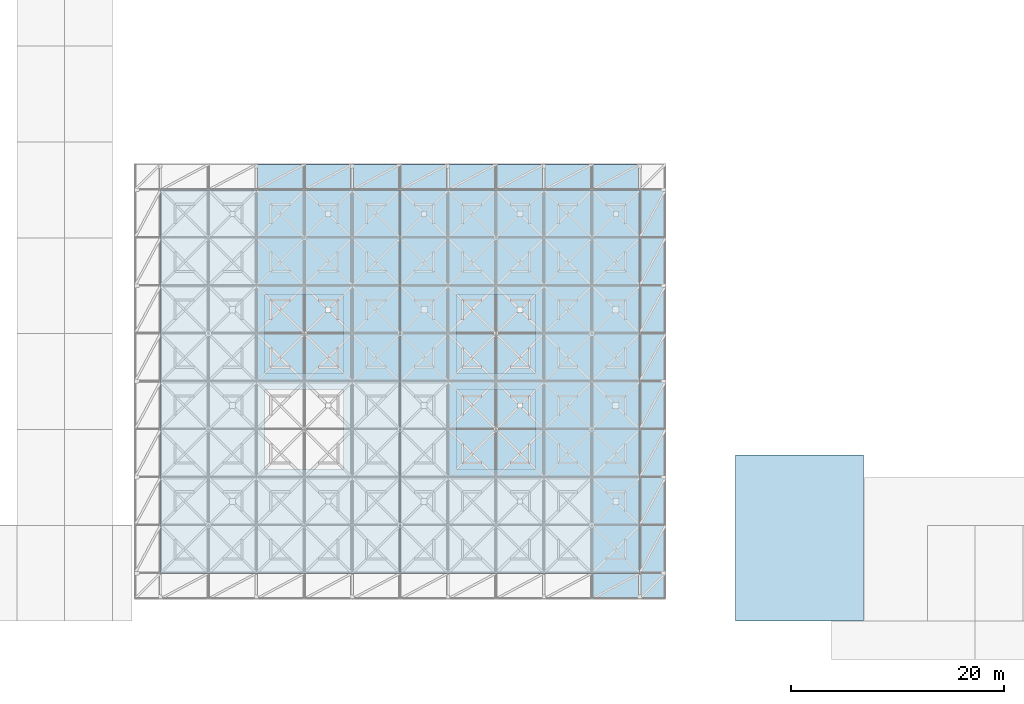
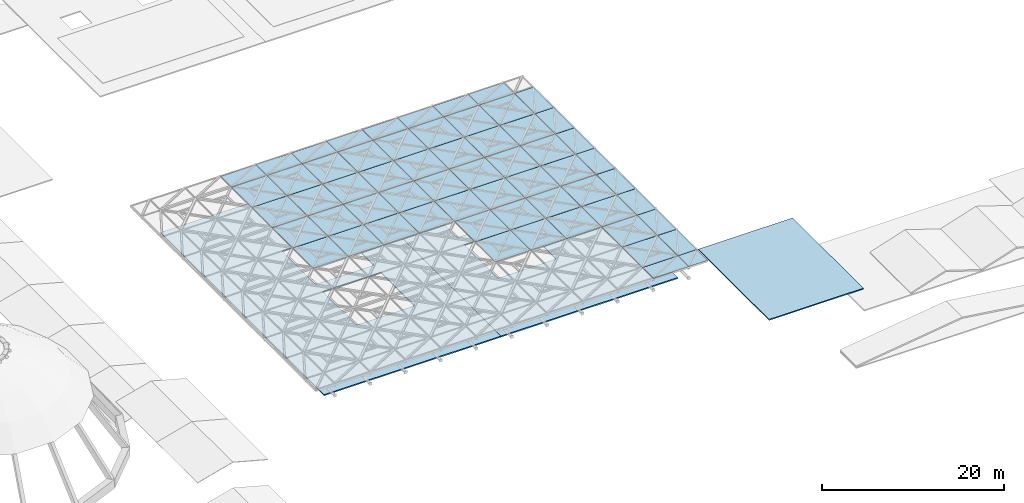
# One storey, part 63 of 80: 60 plates, 3 slabs, 9 elements without a shape of their own.
"""IFC4 building model written with IfcOpenShell, lengths in metres."""

from ifc_helpers import new_model, si_unit, direction, frame, origin, origin_2d, place, context, subcontext, project, spatial, polyline, rectangle, outline, extrude, material, layer, layer_set, type_object, element, aggregate, save


model = new_model("IFC4")

# Units and contexts
model_context = context("Model", 3, precision=1e-05, world=origin(), true_north=direction((0.0, 1.0)))
body_context = subcontext(model_context, "Body", "Model", "MODEL_VIEW")
ifc_project = project(units=[si_unit("LENGTHUNIT", "METRE"), si_unit("AREAUNIT", "SQUARE_METRE"), si_unit("VOLUMEUNIT", "CUBIC_METRE"), si_unit("PLANEANGLEUNIT", "RADIAN"), si_unit("MASSUNIT", "GRAM", prefix="KILO"), si_unit("THERMODYNAMICTEMPERATUREUNIT", "KELVIN"), si_unit("POWERUNIT", "WATT")], contexts=[model_context])

# Site, building, storey
site_placement = place(None, origin())
site = spatial("IfcSite", under=ifc_project, at=site_placement, CompositionType="ELEMENT")
building_placement = place(site_placement, origin())
building = spatial("IfcBuilding", under=site, at=building_placement, Name="Tallowbark Science Centre", CompositionType="ELEMENT")
storey_placement = place(building_placement, frame((0.0, 0.0, 25.949951171875)))
storey = spatial("IfcBuildingStorey", under=building, at=storey_placement, Name="ROOF", CompositionType="ELEMENT", Elevation=25.949951171875)

# Curtain wall, plates
ifc_material_1 = material(Name="Blue-Tinted Laminated Low-E Skylight Glass", Category="glass")
curtain_wall_type = type_object("IfcCurtainWallType", Name="CW-SKY-ROOF", PredefinedType="NOTDEFINED", material=ifc_material_1)
curtain_wall_1_placement = place(storey_placement, origin())
curtain_wall_1 = element("IfcCurtainWall", 1, at=curtain_wall_1_placement, inside=storey, type_object=curtain_wall_type, Name="Exhibition Star-Screen Skylight Bay 4", PredefinedType="NOTDEFINED")
ifc_layer_1 = layer(ifc_material_1, 0.035888671875)
ifc_layer_set_1 = layer_set([ifc_layer_1], Name="Blue-Tinted Laminated Low-E Skylight Glass")
plate_type = type_object("IfcPlateType", Name="CWP-SKY-36", PredefinedType="CURTAIN_PANEL", material=ifc_layer_set_1)
plate_1_placement = place(storey_placement, frame((69.75, 24.75, 0.333984375), z_axis=(0.0, 0.0, 1.0), x_axis=(1.0, 0.0, 0.0)))
plate_1 = element("IfcPlate", 2, at=plate_1_placement, type_object=plate_type, Name="Exhibition Star-Screen Skylight Glass Panel 36", PredefinedType="CURTAIN_PANEL", context=body_context, shape_type="SweptSolid", body=[
    extrude(rectangle(XDim=4.491943359375, YDim=4.491943359375, at=origin_2d()), origin(), (0.0, 0.0, 1.0), 0.035888671875),
])
plate_2_placement = place(storey_placement, frame((69.75, 29.25, 0.333984375), z_axis=(0.0, 0.0, 1.0), x_axis=(1.0, 0.0, 0.0)))
plate_2 = element("IfcPlate", 3, at=plate_2_placement, type_object=plate_type, Name="Exhibition Star-Screen Skylight Glass Panel 37", PredefinedType="CURTAIN_PANEL", context=body_context, shape_type="SweptSolid", body=[
    extrude(rectangle(XDim=4.491943359375, YDim=4.491943359375, at=origin_2d()), origin(), (0.0, 0.0, 1.0), 0.035888671875),
])
plate_3_placement = place(storey_placement, frame((69.75, 33.75, 0.333984375), z_axis=(0.0, 0.0, 1.0), x_axis=(1.0, 0.0, 0.0)))
plate_3 = element("IfcPlate", 4, at=plate_3_placement, type_object=plate_type, Name="Exhibition Star-Screen Skylight Glass Panel 38", PredefinedType="CURTAIN_PANEL", context=body_context, shape_type="SweptSolid", body=[
    extrude(rectangle(XDim=4.491943359375, YDim=4.491943359375, at=origin_2d()), origin(), (0.0, 0.0, 1.0), 0.035888671875),
])
plate_4_placement = place(storey_placement, frame((69.75, 38.25, 0.333984375), z_axis=(0.0, 0.0, 1.0), x_axis=(1.0, 0.0, 0.0)))
plate_4 = element("IfcPlate", 5, at=plate_4_placement, type_object=plate_type, Name="Exhibition Star-Screen Skylight Glass Panel 39", PredefinedType="CURTAIN_PANEL", context=body_context, shape_type="SweptSolid", body=[
    extrude(rectangle(XDim=4.491943359375, YDim=4.491943359375, at=origin_2d()), origin(), (0.0, 0.0, 1.0), 0.035888671875),
])
plate_5_placement = place(storey_placement, frame((69.75, 41.699951171875, 0.333984375), z_axis=(0.0, 0.0, 1.0), x_axis=(1.0, 0.0, 0.0)))
plate_5 = element("IfcPlate", 6, at=plate_5_placement, type_object=plate_type, Name="Exhibition Star-Screen Skylight Glass Panel 40", PredefinedType="CURTAIN_PANEL", context=body_context, shape_type="SweptSolid", body=[
    extrude(rectangle(XDim=4.491943359375, YDim=2.39208984375, at=origin_2d()), origin(), (0.0, 0.0, 1.0), 0.035888671875),
])
aggregate(curtain_wall_1, [plate_1, plate_2, plate_3, plate_4, plate_5])

curtain_wall_2_placement = place(storey_placement, origin())
curtain_wall_2 = element("IfcCurtainWall", 7, at=curtain_wall_2_placement, inside=storey, type_object=curtain_wall_type, Name="Exhibition Star-Screen Skylight Bay 5", PredefinedType="NOTDEFINED")
plate_6_placement = place(storey_placement, frame((74.25, 24.75, 0.333984375), z_axis=(0.0, 0.0, 1.0), x_axis=(1.0, 0.0, 0.0)))
plate_6 = element("IfcPlate", 8, at=plate_6_placement, type_object=plate_type, Name="Exhibition Star-Screen Skylight Glass Panel 46", PredefinedType="CURTAIN_PANEL", context=body_context, shape_type="SweptSolid", body=[
    extrude(rectangle(XDim=4.491943359375, YDim=4.491943359375, at=origin_2d()), origin(), (0.0, 0.0, 1.0), 0.035888671875),
])
plate_7_placement = place(storey_placement, frame((74.25, 29.25, 0.333984375), z_axis=(0.0, 0.0, 1.0), x_axis=(1.0, 0.0, 0.0)))
plate_7 = element("IfcPlate", 9, at=plate_7_placement, type_object=plate_type, Name="Exhibition Star-Screen Skylight Glass Panel 47", PredefinedType="CURTAIN_PANEL", context=body_context, shape_type="SweptSolid", body=[
    extrude(rectangle(XDim=4.491943359375, YDim=4.491943359375, at=origin_2d()), origin(), (0.0, 0.0, 1.0), 0.035888671875),
])
plate_8_placement = place(storey_placement, frame((74.25, 33.75, 0.333984375), z_axis=(0.0, 0.0, 1.0), x_axis=(1.0, 0.0, 0.0)))
plate_8 = element("IfcPlate", 10, at=plate_8_placement, type_object=plate_type, Name="Exhibition Star-Screen Skylight Glass Panel 48", PredefinedType="CURTAIN_PANEL", context=body_context, shape_type="SweptSolid", body=[
    extrude(rectangle(XDim=4.491943359375, YDim=4.491943359375, at=origin_2d()), origin(), (0.0, 0.0, 1.0), 0.035888671875),
])
plate_9_placement = place(storey_placement, frame((74.25, 38.25, 0.333984375), z_axis=(0.0, 0.0, 1.0), x_axis=(1.0, 0.0, 0.0)))
plate_9 = element("IfcPlate", 11, at=plate_9_placement, type_object=plate_type, Name="Exhibition Star-Screen Skylight Glass Panel 49", PredefinedType="CURTAIN_PANEL", context=body_context, shape_type="SweptSolid", body=[
    extrude(rectangle(XDim=4.491943359375, YDim=4.491943359375, at=origin_2d()), origin(), (0.0, 0.0, 1.0), 0.035888671875),
])
plate_10_placement = place(storey_placement, frame((74.25, 41.699951171875, 0.333984375), z_axis=(0.0, 0.0, 1.0), x_axis=(1.0, 0.0, 0.0)))
plate_10 = element("IfcPlate", 12, at=plate_10_placement, type_object=plate_type, Name="Exhibition Star-Screen Skylight Glass Panel 50", PredefinedType="CURTAIN_PANEL", context=body_context, shape_type="SweptSolid", body=[
    extrude(rectangle(XDim=4.491943359375, YDim=2.39208984375, at=origin_2d()), origin(), (0.0, 0.0, 1.0), 0.035888671875),
])
aggregate(curtain_wall_2, [plate_6, plate_7, plate_8, plate_9, plate_10])

curtain_wall_3_placement = place(storey_placement, origin())
curtain_wall_3 = element("IfcCurtainWall", 13, at=curtain_wall_3_placement, inside=storey, type_object=curtain_wall_type, Name="Exhibition Star-Screen Skylight Bay 6", PredefinedType="NOTDEFINED")
plate_11_placement = place(storey_placement, frame((78.75, 24.75, 0.333984375), z_axis=(0.0, 0.0, 1.0), x_axis=(1.0, 0.0, 0.0)))
plate_11 = element("IfcPlate", 14, at=plate_11_placement, type_object=plate_type, Name="Exhibition Star-Screen Skylight Glass Panel 56", PredefinedType="CURTAIN_PANEL", context=body_context, shape_type="SweptSolid", body=[
    extrude(rectangle(XDim=4.491943359375, YDim=4.491943359375, at=origin_2d()), origin(), (0.0, 0.0, 1.0), 0.035888671875),
])
plate_12_placement = place(storey_placement, frame((78.75, 29.25, 0.333984375), z_axis=(0.0, 0.0, 1.0), x_axis=(1.0, 0.0, 0.0)))
plate_12 = element("IfcPlate", 15, at=plate_12_placement, type_object=plate_type, Name="Exhibition Star-Screen Skylight Glass Panel 57", PredefinedType="CURTAIN_PANEL", context=body_context, shape_type="SweptSolid", body=[
    extrude(rectangle(XDim=4.491943359375, YDim=4.491943359375, at=origin_2d()), origin(), (0.0, 0.0, 1.0), 0.035888671875),
])
plate_13_placement = place(storey_placement, frame((78.75, 33.75, 0.333984375), z_axis=(0.0, 0.0, 1.0), x_axis=(1.0, 0.0, 0.0)))
plate_13 = element("IfcPlate", 16, at=plate_13_placement, type_object=plate_type, Name="Exhibition Star-Screen Skylight Glass Panel 58", PredefinedType="CURTAIN_PANEL", context=body_context, shape_type="SweptSolid", body=[
    extrude(rectangle(XDim=4.491943359375, YDim=4.491943359375, at=origin_2d()), origin(), (0.0, 0.0, 1.0), 0.035888671875),
])
plate_14_placement = place(storey_placement, frame((78.75, 38.25, 0.333984375), z_axis=(0.0, 0.0, 1.0), x_axis=(1.0, 0.0, 0.0)))
plate_14 = element("IfcPlate", 17, at=plate_14_placement, type_object=plate_type, Name="Exhibition Star-Screen Skylight Glass Panel 59", PredefinedType="CURTAIN_PANEL", context=body_context, shape_type="SweptSolid", body=[
    extrude(rectangle(XDim=4.491943359375, YDim=4.491943359375, at=origin_2d()), origin(), (0.0, 0.0, 1.0), 0.035888671875),
])
plate_15_placement = place(storey_placement, frame((78.75, 41.699951171875, 0.333984375), z_axis=(0.0, 0.0, 1.0), x_axis=(1.0, 0.0, 0.0)))
plate_15 = element("IfcPlate", 18, at=plate_15_placement, type_object=plate_type, Name="Exhibition Star-Screen Skylight Glass Panel 60", PredefinedType="CURTAIN_PANEL", context=body_context, shape_type="SweptSolid", body=[
    extrude(rectangle(XDim=4.491943359375, YDim=2.39208984375, at=origin_2d()), origin(), (0.0, 0.0, 1.0), 0.035888671875),
])
aggregate(curtain_wall_3, [plate_11, plate_12, plate_13, plate_14, plate_15])

curtain_wall_4_placement = place(storey_placement, origin())
curtain_wall_4 = element("IfcCurtainWall", 19, at=curtain_wall_4_placement, inside=storey, type_object=curtain_wall_type, Name="Exhibition Star-Screen Skylight Bay 7", PredefinedType="NOTDEFINED")
plate_16_placement = place(storey_placement, frame((83.25, 24.75, 0.333984375), z_axis=(0.0, 0.0, 1.0), x_axis=(1.0, 0.0, 0.0)))
plate_16 = element("IfcPlate", 20, at=plate_16_placement, type_object=plate_type, Name="Exhibition Star-Screen Skylight Glass Panel 66", PredefinedType="CURTAIN_PANEL", context=body_context, shape_type="SweptSolid", body=[
    extrude(rectangle(XDim=4.491943359375, YDim=4.491943359375, at=origin_2d()), origin(), (0.0, 0.0, 1.0), 0.035888671875),
])
plate_17_placement = place(storey_placement, frame((83.25, 29.25, 0.333984375), z_axis=(0.0, 0.0, 1.0), x_axis=(1.0, 0.0, 0.0)))
plate_17 = element("IfcPlate", 21, at=plate_17_placement, type_object=plate_type, Name="Exhibition Star-Screen Skylight Glass Panel 67", PredefinedType="CURTAIN_PANEL", context=body_context, shape_type="SweptSolid", body=[
    extrude(rectangle(XDim=4.491943359375, YDim=4.491943359375, at=origin_2d()), origin(), (0.0, 0.0, 1.0), 0.035888671875),
])
plate_18_placement = place(storey_placement, frame((83.25, 33.75, 0.333984375), z_axis=(0.0, 0.0, 1.0), x_axis=(1.0, 0.0, 0.0)))
plate_18 = element("IfcPlate", 22, at=plate_18_placement, type_object=plate_type, Name="Exhibition Star-Screen Skylight Glass Panel 68", PredefinedType="CURTAIN_PANEL", context=body_context, shape_type="SweptSolid", body=[
    extrude(rectangle(XDim=4.491943359375, YDim=4.491943359375, at=origin_2d()), origin(), (0.0, 0.0, 1.0), 0.035888671875),
])
plate_19_placement = place(storey_placement, frame((83.25, 38.25, 0.333984375), z_axis=(0.0, 0.0, 1.0), x_axis=(1.0, 0.0, 0.0)))
plate_19 = element("IfcPlate", 23, at=plate_19_placement, type_object=plate_type, Name="Exhibition Star-Screen Skylight Glass Panel 69", PredefinedType="CURTAIN_PANEL", context=body_context, shape_type="SweptSolid", body=[
    extrude(rectangle(XDim=4.491943359375, YDim=4.491943359375, at=origin_2d()), origin(), (0.0, 0.0, 1.0), 0.035888671875),
])
plate_20_placement = place(storey_placement, frame((83.25, 41.699951171875, 0.333984375), z_axis=(0.0, 0.0, 1.0), x_axis=(1.0, 0.0, 0.0)))
plate_20 = element("IfcPlate", 24, at=plate_20_placement, type_object=plate_type, Name="Exhibition Star-Screen Skylight Glass Panel 70", PredefinedType="CURTAIN_PANEL", context=body_context, shape_type="SweptSolid", body=[
    extrude(rectangle(XDim=4.491943359375, YDim=2.39208984375, at=origin_2d()), origin(), (0.0, 0.0, 1.0), 0.035888671875),
])
aggregate(curtain_wall_4, [plate_16, plate_17, plate_18, plate_19, plate_20])

curtain_wall_5_placement = place(storey_placement, origin())
curtain_wall_5 = element("IfcCurtainWall", 25, at=curtain_wall_5_placement, inside=storey, type_object=curtain_wall_type, Name="Exhibition Star-Screen Skylight Bay 8", PredefinedType="NOTDEFINED")
plate_21_placement = place(storey_placement, frame((87.75, 15.75, 0.333984375), z_axis=(0.0, 0.0, 1.0), x_axis=(1.0, 0.0, 0.0)))
plate_21 = element("IfcPlate", 26, at=plate_21_placement, type_object=plate_type, Name="Exhibition Star-Screen Skylight Glass Panel 74", PredefinedType="CURTAIN_PANEL", context=body_context, shape_type="SweptSolid", body=[
    extrude(rectangle(XDim=4.491943359375, YDim=4.491943359375, at=origin_2d()), origin(), (0.0, 0.0, 1.0), 0.035888671875),
])
plate_22_placement = place(storey_placement, frame((87.75, 20.25, 0.333984375), z_axis=(0.0, 0.0, 1.0), x_axis=(1.0, 0.0, 0.0)))
plate_22 = element("IfcPlate", 27, at=plate_22_placement, type_object=plate_type, Name="Exhibition Star-Screen Skylight Glass Panel 75", PredefinedType="CURTAIN_PANEL", context=body_context, shape_type="SweptSolid", body=[
    extrude(rectangle(XDim=4.491943359375, YDim=4.491943359375, at=origin_2d()), origin(), (0.0, 0.0, 1.0), 0.035888671875),
])
plate_23_placement = place(storey_placement, frame((87.75, 24.75, 0.333984375), z_axis=(0.0, 0.0, 1.0), x_axis=(1.0, 0.0, 0.0)))
plate_23 = element("IfcPlate", 28, at=plate_23_placement, type_object=plate_type, Name="Exhibition Star-Screen Skylight Glass Panel 76", PredefinedType="CURTAIN_PANEL", context=body_context, shape_type="SweptSolid", body=[
    extrude(rectangle(XDim=4.491943359375, YDim=4.491943359375, at=origin_2d()), origin(), (0.0, 0.0, 1.0), 0.035888671875),
])
plate_24_placement = place(storey_placement, frame((87.75, 29.25, 0.333984375), z_axis=(0.0, 0.0, 1.0), x_axis=(1.0, 0.0, 0.0)))
plate_24 = element("IfcPlate", 29, at=plate_24_placement, type_object=plate_type, Name="Exhibition Star-Screen Skylight Glass Panel 77", PredefinedType="CURTAIN_PANEL", context=body_context, shape_type="SweptSolid", body=[
    extrude(rectangle(XDim=4.491943359375, YDim=4.491943359375, at=origin_2d()), origin(), (0.0, 0.0, 1.0), 0.035888671875),
])
plate_25_placement = place(storey_placement, frame((87.75, 33.75, 0.333984375), z_axis=(0.0, 0.0, 1.0), x_axis=(1.0, 0.0, 0.0)))
plate_25 = element("IfcPlate", 30, at=plate_25_placement, type_object=plate_type, Name="Exhibition Star-Screen Skylight Glass Panel 78", PredefinedType="CURTAIN_PANEL", context=body_context, shape_type="SweptSolid", body=[
    extrude(rectangle(XDim=4.491943359375, YDim=4.491943359375, at=origin_2d()), origin(), (0.0, 0.0, 1.0), 0.035888671875),
])
plate_26_placement = place(storey_placement, frame((87.75, 38.25, 0.333984375), z_axis=(0.0, 0.0, 1.0), x_axis=(1.0, 0.0, 0.0)))
plate_26 = element("IfcPlate", 31, at=plate_26_placement, type_object=plate_type, Name="Exhibition Star-Screen Skylight Glass Panel 79", PredefinedType="CURTAIN_PANEL", context=body_context, shape_type="SweptSolid", body=[
    extrude(rectangle(XDim=4.491943359375, YDim=4.491943359375, at=origin_2d()), origin(), (0.0, 0.0, 1.0), 0.035888671875),
])
plate_27_placement = place(storey_placement, frame((87.75, 41.699951171875, 0.333984375), z_axis=(0.0, 0.0, 1.0), x_axis=(1.0, 0.0, 0.0)))
plate_27 = element("IfcPlate", 32, at=plate_27_placement, type_object=plate_type, Name="Exhibition Star-Screen Skylight Glass Panel 80", PredefinedType="CURTAIN_PANEL", context=body_context, shape_type="SweptSolid", body=[
    extrude(rectangle(XDim=4.491943359375, YDim=2.39208984375, at=origin_2d()), origin(), (0.0, 0.0, 1.0), 0.035888671875),
])
aggregate(curtain_wall_5, [plate_21, plate_22, plate_23, plate_24, plate_25, plate_26, plate_27])

curtain_wall_6_placement = place(storey_placement, origin())
curtain_wall_6 = element("IfcCurtainWall", 33, at=curtain_wall_6_placement, inside=storey, type_object=curtain_wall_type, Name="Exhibition Star-Screen Skylight Bay 9", PredefinedType="NOTDEFINED")
plate_28_placement = place(storey_placement, frame((92.25, 15.75, 0.333984375), z_axis=(0.0, 0.0, 1.0), x_axis=(1.0, 0.0, 0.0)))
plate_28 = element("IfcPlate", 34, at=plate_28_placement, type_object=plate_type, Name="Exhibition Star-Screen Skylight Glass Panel 84", PredefinedType="CURTAIN_PANEL", context=body_context, shape_type="SweptSolid", body=[
    extrude(rectangle(XDim=4.491943359375, YDim=4.491943359375, at=origin_2d()), origin(), (0.0, 0.0, 1.0), 0.035888671875),
])
plate_29_placement = place(storey_placement, frame((92.25, 20.25, 0.333984375), z_axis=(0.0, 0.0, 1.0), x_axis=(1.0, 0.0, 0.0)))
plate_29 = element("IfcPlate", 35, at=plate_29_placement, type_object=plate_type, Name="Exhibition Star-Screen Skylight Glass Panel 85", PredefinedType="CURTAIN_PANEL", context=body_context, shape_type="SweptSolid", body=[
    extrude(rectangle(XDim=4.491943359375, YDim=4.491943359375, at=origin_2d()), origin(), (0.0, 0.0, 1.0), 0.035888671875),
])
plate_30_placement = place(storey_placement, frame((92.25, 24.75, 0.333984375), z_axis=(0.0, 0.0, 1.0), x_axis=(1.0, 0.0, 0.0)))
plate_30 = element("IfcPlate", 36, at=plate_30_placement, type_object=plate_type, Name="Exhibition Star-Screen Skylight Glass Panel 86", PredefinedType="CURTAIN_PANEL", context=body_context, shape_type="SweptSolid", body=[
    extrude(rectangle(XDim=4.491943359375, YDim=4.491943359375, at=origin_2d()), origin(), (0.0, 0.0, 1.0), 0.035888671875),
])
plate_31_placement = place(storey_placement, frame((92.25, 29.25, 0.333984375), z_axis=(0.0, 0.0, 1.0), x_axis=(1.0, 0.0, 0.0)))
plate_31 = element("IfcPlate", 37, at=plate_31_placement, type_object=plate_type, Name="Exhibition Star-Screen Skylight Glass Panel 87", PredefinedType="CURTAIN_PANEL", context=body_context, shape_type="SweptSolid", body=[
    extrude(rectangle(XDim=4.491943359375, YDim=4.491943359375, at=origin_2d()), origin(), (0.0, 0.0, 1.0), 0.035888671875),
])
plate_32_placement = place(storey_placement, frame((92.25, 33.75, 0.333984375), z_axis=(0.0, 0.0, 1.0), x_axis=(1.0, 0.0, 0.0)))
plate_32 = element("IfcPlate", 38, at=plate_32_placement, type_object=plate_type, Name="Exhibition Star-Screen Skylight Glass Panel 88", PredefinedType="CURTAIN_PANEL", context=body_context, shape_type="SweptSolid", body=[
    extrude(rectangle(XDim=4.491943359375, YDim=4.491943359375, at=origin_2d()), origin(), (0.0, 0.0, 1.0), 0.035888671875),
])
plate_33_placement = place(storey_placement, frame((92.25, 38.25, 0.333984375), z_axis=(0.0, 0.0, 1.0), x_axis=(1.0, 0.0, 0.0)))
plate_33 = element("IfcPlate", 39, at=plate_33_placement, type_object=plate_type, Name="Exhibition Star-Screen Skylight Glass Panel 89", PredefinedType="CURTAIN_PANEL", context=body_context, shape_type="SweptSolid", body=[
    extrude(rectangle(XDim=4.491943359375, YDim=4.491943359375, at=origin_2d()), origin(), (0.0, 0.0, 1.0), 0.035888671875),
])
plate_34_placement = place(storey_placement, frame((92.25, 41.699951171875, 0.333984375), z_axis=(0.0, 0.0, 1.0), x_axis=(1.0, 0.0, 0.0)))
plate_34 = element("IfcPlate", 40, at=plate_34_placement, type_object=plate_type, Name="Exhibition Star-Screen Skylight Glass Panel 90", PredefinedType="CURTAIN_PANEL", context=body_context, shape_type="SweptSolid", body=[
    extrude(rectangle(XDim=4.491943359375, YDim=2.39208984375, at=origin_2d()), origin(), (0.0, 0.0, 1.0), 0.035888671875),
])
aggregate(curtain_wall_6, [plate_28, plate_29, plate_30, plate_31, plate_32, plate_33, plate_34])

curtain_wall_7_placement = place(storey_placement, origin())
curtain_wall_7 = element("IfcCurtainWall", 41, at=curtain_wall_7_placement, inside=storey, type_object=curtain_wall_type, Name="Exhibition Star-Screen Skylight Bay 10", PredefinedType="NOTDEFINED")
plate_35_placement = place(storey_placement, frame((96.75, 15.75, 0.333984375), z_axis=(0.0, 0.0, 1.0), x_axis=(1.0, 0.0, 0.0)))
plate_35 = element("IfcPlate", 42, at=plate_35_placement, type_object=plate_type, Name="Exhibition Star-Screen Skylight Glass Panel 94", PredefinedType="CURTAIN_PANEL", context=body_context, shape_type="SweptSolid", body=[
    extrude(rectangle(XDim=4.491943359375, YDim=4.491943359375, at=origin_2d()), origin(), (0.0, 0.0, 1.0), 0.035888671875),
])
plate_36_placement = place(storey_placement, frame((96.75, 20.25, 0.333984375), z_axis=(0.0, 0.0, 1.0), x_axis=(1.0, 0.0, 0.0)))
plate_36 = element("IfcPlate", 43, at=plate_36_placement, type_object=plate_type, Name="Exhibition Star-Screen Skylight Glass Panel 95", PredefinedType="CURTAIN_PANEL", context=body_context, shape_type="SweptSolid", body=[
    extrude(rectangle(XDim=4.491943359375, YDim=4.491943359375, at=origin_2d()), origin(), (0.0, 0.0, 1.0), 0.035888671875),
])
plate_37_placement = place(storey_placement, frame((96.75, 24.75, 0.333984375), z_axis=(0.0, 0.0, 1.0), x_axis=(1.0, 0.0, 0.0)))
plate_37 = element("IfcPlate", 44, at=plate_37_placement, type_object=plate_type, Name="Exhibition Star-Screen Skylight Glass Panel 96", PredefinedType="CURTAIN_PANEL", context=body_context, shape_type="SweptSolid", body=[
    extrude(rectangle(XDim=4.491943359375, YDim=4.491943359375, at=origin_2d()), origin(), (0.0, 0.0, 1.0), 0.035888671875),
])
plate_38_placement = place(storey_placement, frame((96.75, 29.25, 0.333984375), z_axis=(0.0, 0.0, 1.0), x_axis=(1.0, 0.0, 0.0)))
plate_38 = element("IfcPlate", 45, at=plate_38_placement, type_object=plate_type, Name="Exhibition Star-Screen Skylight Glass Panel 97", PredefinedType="CURTAIN_PANEL", context=body_context, shape_type="SweptSolid", body=[
    extrude(rectangle(XDim=4.491943359375, YDim=4.491943359375, at=origin_2d()), origin(), (0.0, 0.0, 1.0), 0.035888671875),
])
plate_39_placement = place(storey_placement, frame((96.75, 33.75, 0.333984375), z_axis=(0.0, 0.0, 1.0), x_axis=(1.0, 0.0, 0.0)))
plate_39 = element("IfcPlate", 46, at=plate_39_placement, type_object=plate_type, Name="Exhibition Star-Screen Skylight Glass Panel 98", PredefinedType="CURTAIN_PANEL", context=body_context, shape_type="SweptSolid", body=[
    extrude(rectangle(XDim=4.491943359375, YDim=4.491943359375, at=origin_2d()), origin(), (0.0, 0.0, 1.0), 0.035888671875),
])
plate_40_placement = place(storey_placement, frame((96.75, 38.25, 0.333984375), z_axis=(0.0, 0.0, 1.0), x_axis=(1.0, 0.0, 0.0)))
plate_40 = element("IfcPlate", 47, at=plate_40_placement, type_object=plate_type, Name="Exhibition Star-Screen Skylight Glass Panel 99", PredefinedType="CURTAIN_PANEL", context=body_context, shape_type="SweptSolid", body=[
    extrude(rectangle(XDim=4.491943359375, YDim=4.491943359375, at=origin_2d()), origin(), (0.0, 0.0, 1.0), 0.035888671875),
])
plate_41_placement = place(storey_placement, frame((96.75, 41.699951171875, 0.333984375), z_axis=(0.0, 0.0, 1.0), x_axis=(1.0, 0.0, 0.0)))
plate_41 = element("IfcPlate", 48, at=plate_41_placement, type_object=plate_type, Name="Exhibition Star-Screen Skylight Glass Panel 100", PredefinedType="CURTAIN_PANEL", context=body_context, shape_type="SweptSolid", body=[
    extrude(rectangle(XDim=4.491943359375, YDim=2.39208984375, at=origin_2d()), origin(), (0.0, 0.0, 1.0), 0.035888671875),
])
aggregate(curtain_wall_7, [plate_35, plate_36, plate_37, plate_38, plate_39, plate_40, plate_41])

curtain_wall_8_placement = place(storey_placement, origin())
curtain_wall_8 = element("IfcCurtainWall", 49, at=curtain_wall_8_placement, inside=storey, type_object=curtain_wall_type, Name="Exhibition Star-Screen Skylight Bay 11", PredefinedType="NOTDEFINED")
plate_42_placement = place(storey_placement, frame((101.25, 3.300048828125, 0.333984375), z_axis=(0.0, 0.0, 1.0), x_axis=(1.0, 0.0, 0.0)))
plate_42 = element("IfcPlate", 50, at=plate_42_placement, type_object=plate_type, Name="Exhibition Star-Screen Skylight Glass Panel 101", PredefinedType="CURTAIN_PANEL", context=body_context, shape_type="SweptSolid", body=[
    extrude(rectangle(XDim=4.491943359375, YDim=2.39208984375, at=origin_2d()), origin(), (0.0, 0.0, 1.0), 0.035888671875),
])
plate_43_placement = place(storey_placement, frame((101.25, 6.75, 0.333984375), z_axis=(0.0, 0.0, 1.0), x_axis=(1.0, 0.0, 0.0)))
plate_43 = element("IfcPlate", 51, at=plate_43_placement, type_object=plate_type, Name="Exhibition Star-Screen Skylight Glass Panel 102", PredefinedType="CURTAIN_PANEL", context=body_context, shape_type="SweptSolid", body=[
    extrude(rectangle(XDim=4.491943359375, YDim=4.491943359375, at=origin_2d()), origin(), (0.0, 0.0, 1.0), 0.035888671875),
])
plate_44_placement = place(storey_placement, frame((101.25, 11.25, 0.333984375), z_axis=(0.0, 0.0, 1.0), x_axis=(1.0, 0.0, 0.0)))
plate_44 = element("IfcPlate", 52, at=plate_44_placement, type_object=plate_type, Name="Exhibition Star-Screen Skylight Glass Panel 103", PredefinedType="CURTAIN_PANEL", context=body_context, shape_type="SweptSolid", body=[
    extrude(rectangle(XDim=4.491943359375, YDim=4.491943359375, at=origin_2d()), origin(), (0.0, 0.0, 1.0), 0.035888671875),
])
plate_45_placement = place(storey_placement, frame((101.25, 15.75, 0.333984375), z_axis=(0.0, 0.0, 1.0), x_axis=(1.0, 0.0, 0.0)))
plate_45 = element("IfcPlate", 53, at=plate_45_placement, type_object=plate_type, Name="Exhibition Star-Screen Skylight Glass Panel 104", PredefinedType="CURTAIN_PANEL", context=body_context, shape_type="SweptSolid", body=[
    extrude(rectangle(XDim=4.491943359375, YDim=4.491943359375, at=origin_2d()), origin(), (0.0, 0.0, 1.0), 0.035888671875),
])
plate_46_placement = place(storey_placement, frame((101.25, 20.25, 0.333984375), z_axis=(0.0, 0.0, 1.0), x_axis=(1.0, 0.0, 0.0)))
plate_46 = element("IfcPlate", 54, at=plate_46_placement, type_object=plate_type, Name="Exhibition Star-Screen Skylight Glass Panel 105", PredefinedType="CURTAIN_PANEL", context=body_context, shape_type="SweptSolid", body=[
    extrude(rectangle(XDim=4.491943359375, YDim=4.491943359375, at=origin_2d()), origin(), (0.0, 0.0, 1.0), 0.035888671875),
])
plate_47_placement = place(storey_placement, frame((101.25, 24.75, 0.333984375), z_axis=(0.0, 0.0, 1.0), x_axis=(1.0, 0.0, 0.0)))
plate_47 = element("IfcPlate", 55, at=plate_47_placement, type_object=plate_type, Name="Exhibition Star-Screen Skylight Glass Panel 106", PredefinedType="CURTAIN_PANEL", context=body_context, shape_type="SweptSolid", body=[
    extrude(rectangle(XDim=4.491943359375, YDim=4.491943359375, at=origin_2d()), origin(), (0.0, 0.0, 1.0), 0.035888671875),
])
plate_48_placement = place(storey_placement, frame((101.25, 29.25, 0.333984375), z_axis=(0.0, 0.0, 1.0), x_axis=(1.0, 0.0, 0.0)))
plate_48 = element("IfcPlate", 56, at=plate_48_placement, type_object=plate_type, Name="Exhibition Star-Screen Skylight Glass Panel 107", PredefinedType="CURTAIN_PANEL", context=body_context, shape_type="SweptSolid", body=[
    extrude(rectangle(XDim=4.491943359375, YDim=4.491943359375, at=origin_2d()), origin(), (0.0, 0.0, 1.0), 0.035888671875),
])
plate_49_placement = place(storey_placement, frame((101.25, 33.75, 0.333984375), z_axis=(0.0, 0.0, 1.0), x_axis=(1.0, 0.0, 0.0)))
plate_49 = element("IfcPlate", 57, at=plate_49_placement, type_object=plate_type, Name="Exhibition Star-Screen Skylight Glass Panel 108", PredefinedType="CURTAIN_PANEL", context=body_context, shape_type="SweptSolid", body=[
    extrude(rectangle(XDim=4.491943359375, YDim=4.491943359375, at=origin_2d()), origin(), (0.0, 0.0, 1.0), 0.035888671875),
])
plate_50_placement = place(storey_placement, frame((101.25, 38.25, 0.333984375), z_axis=(0.0, 0.0, 1.0), x_axis=(1.0, 0.0, 0.0)))
plate_50 = element("IfcPlate", 58, at=plate_50_placement, type_object=plate_type, Name="Exhibition Star-Screen Skylight Glass Panel 109", PredefinedType="CURTAIN_PANEL", context=body_context, shape_type="SweptSolid", body=[
    extrude(rectangle(XDim=4.491943359375, YDim=4.491943359375, at=origin_2d()), origin(), (0.0, 0.0, 1.0), 0.035888671875),
])
plate_51_placement = place(storey_placement, frame((101.25, 41.699951171875, 0.333984375), z_axis=(0.0, 0.0, 1.0), x_axis=(1.0, 0.0, 0.0)))
plate_51 = element("IfcPlate", 59, at=plate_51_placement, type_object=plate_type, Name="Exhibition Star-Screen Skylight Glass Panel 110", PredefinedType="CURTAIN_PANEL", context=body_context, shape_type="SweptSolid", body=[
    extrude(rectangle(XDim=4.491943359375, YDim=2.39208984375, at=origin_2d()), origin(), (0.0, 0.0, 1.0), 0.035888671875),
])
aggregate(curtain_wall_8, [plate_42, plate_43, plate_44, plate_45, plate_46, plate_47, plate_48, plate_49, plate_50, plate_51])

curtain_wall_9_placement = place(storey_placement, origin())
curtain_wall_9 = element("IfcCurtainWall", 60, at=curtain_wall_9_placement, inside=storey, type_object=curtain_wall_type, Name="Exhibition Star-Screen Skylight Bay 12", PredefinedType="NOTDEFINED")
plate_52_placement = place(storey_placement, frame((104.699951171875, 3.300048828125, 0.333984375), z_axis=(0.0, 0.0, 1.0), x_axis=(1.0, 0.0, 0.0)))
plate_52 = element("IfcPlate", 61, at=plate_52_placement, type_object=plate_type, Name="Exhibition Star-Screen Skylight Glass Panel 111", PredefinedType="CURTAIN_PANEL", context=body_context, shape_type="SweptSolid", body=[
    extrude(rectangle(XDim=2.39208984375, YDim=2.39208984375, at=origin_2d()), origin(), (0.0, 0.0, 1.0), 0.035888671875),
])
plate_53_placement = place(storey_placement, frame((104.699951171875, 6.75, 0.333984375), z_axis=(0.0, 0.0, 1.0), x_axis=(1.0, 0.0, 0.0)))
plate_53 = element("IfcPlate", 62, at=plate_53_placement, type_object=plate_type, Name="Exhibition Star-Screen Skylight Glass Panel 112", PredefinedType="CURTAIN_PANEL", context=body_context, shape_type="SweptSolid", body=[
    extrude(rectangle(XDim=2.39208984375, YDim=4.491943359375, at=origin_2d()), origin(), (0.0, 0.0, 1.0), 0.035888671875),
])
plate_54_placement = place(storey_placement, frame((104.699951171875, 11.25, 0.333984375), z_axis=(0.0, 0.0, 1.0), x_axis=(1.0, 0.0, 0.0)))
plate_54 = element("IfcPlate", 63, at=plate_54_placement, type_object=plate_type, Name="Exhibition Star-Screen Skylight Glass Panel 113", PredefinedType="CURTAIN_PANEL", context=body_context, shape_type="SweptSolid", body=[
    extrude(rectangle(XDim=2.39208984375, YDim=4.491943359375, at=origin_2d()), origin(), (0.0, 0.0, 1.0), 0.035888671875),
])
plate_55_placement = place(storey_placement, frame((104.699951171875, 15.75, 0.333984375), z_axis=(0.0, 0.0, 1.0), x_axis=(1.0, 0.0, 0.0)))
plate_55 = element("IfcPlate", 64, at=plate_55_placement, type_object=plate_type, Name="Exhibition Star-Screen Skylight Glass Panel 114", PredefinedType="CURTAIN_PANEL", context=body_context, shape_type="SweptSolid", body=[
    extrude(rectangle(XDim=2.39208984375, YDim=4.491943359375, at=origin_2d()), origin(), (0.0, 0.0, 1.0), 0.035888671875),
])
plate_56_placement = place(storey_placement, frame((104.699951171875, 20.25, 0.333984375), z_axis=(0.0, 0.0, 1.0), x_axis=(1.0, 0.0, 0.0)))
plate_56 = element("IfcPlate", 65, at=plate_56_placement, type_object=plate_type, Name="Exhibition Star-Screen Skylight Glass Panel 115", PredefinedType="CURTAIN_PANEL", context=body_context, shape_type="SweptSolid", body=[
    extrude(rectangle(XDim=2.39208984375, YDim=4.491943359375, at=origin_2d()), origin(), (0.0, 0.0, 1.0), 0.035888671875),
])
plate_57_placement = place(storey_placement, frame((104.699951171875, 24.75, 0.333984375), z_axis=(0.0, 0.0, 1.0), x_axis=(1.0, 0.0, 0.0)))
plate_57 = element("IfcPlate", 66, at=plate_57_placement, type_object=plate_type, Name="Exhibition Star-Screen Skylight Glass Panel 116", PredefinedType="CURTAIN_PANEL", context=body_context, shape_type="SweptSolid", body=[
    extrude(rectangle(XDim=2.39208984375, YDim=4.491943359375, at=origin_2d()), origin(), (0.0, 0.0, 1.0), 0.035888671875),
])
plate_58_placement = place(storey_placement, frame((104.699951171875, 29.25, 0.333984375), z_axis=(0.0, 0.0, 1.0), x_axis=(1.0, 0.0, 0.0)))
plate_58 = element("IfcPlate", 67, at=plate_58_placement, type_object=plate_type, Name="Exhibition Star-Screen Skylight Glass Panel 117", PredefinedType="CURTAIN_PANEL", context=body_context, shape_type="SweptSolid", body=[
    extrude(rectangle(XDim=2.39208984375, YDim=4.491943359375, at=origin_2d()), origin(), (0.0, 0.0, 1.0), 0.035888671875),
])
plate_59_placement = place(storey_placement, frame((104.699951171875, 33.75, 0.333984375), z_axis=(0.0, 0.0, 1.0), x_axis=(1.0, 0.0, 0.0)))
plate_59 = element("IfcPlate", 68, at=plate_59_placement, type_object=plate_type, Name="Exhibition Star-Screen Skylight Glass Panel 118", PredefinedType="CURTAIN_PANEL", context=body_context, shape_type="SweptSolid", body=[
    extrude(rectangle(XDim=2.39208984375, YDim=4.491943359375, at=origin_2d()), origin(), (0.0, 0.0, 1.0), 0.035888671875),
])
plate_60_placement = place(storey_placement, frame((104.699951171875, 38.25, 0.333984375), z_axis=(0.0, 0.0, 1.0), x_axis=(1.0, 0.0, 0.0)))
plate_60 = element("IfcPlate", 69, at=plate_60_placement, type_object=plate_type, Name="Exhibition Star-Screen Skylight Glass Panel 119", PredefinedType="CURTAIN_PANEL", context=body_context, shape_type="SweptSolid", body=[
    extrude(rectangle(XDim=2.39208984375, YDim=4.491943359375, at=origin_2d()), origin(), (0.0, 0.0, 1.0), 0.035888671875),
])
aggregate(curtain_wall_9, [plate_52, plate_53, plate_54, plate_55, plate_56, plate_57, plate_58, plate_59, plate_60])

# Slabs
ifc_material_2 = material(Name="Concrete Grade N40 (40 MPa)", Category="concrete")
ifc_layer_2 = layer(ifc_material_2, 0.139892578125)
ifc_layer_set_2 = layer_set([ifc_layer_2], Name="Concrete Grade N40 (40 MPa)")
slab_type_1 = type_object("IfcSlabType", Name="SLB-ROOF-140", PredefinedType="ROOF", material=ifc_layer_set_2)
slab_1_placement = place(storey_placement, frame((0.0, 0.0, -8.75)))
element("IfcSlab", 70, at=slab_1_placement, inside=storey, type_object=slab_type_1, Name="Roof Garden Vestibule Roof Slab", PredefinedType="ROOF", context=body_context, shape_type="SweptSolid", body=[
    extrude(outline(polyline([(112.5, 0.0), (124.5, 0.0), (124.5, 15.60009765625), (112.5, 15.60009765625), (112.5, 0.0)])), origin(), (0.0, 0.0, 1.0), 0.14013671875),
])
ifc_layer_3 = layer(ifc_material_2, 0.159912109375)
ifc_layer_set_3 = layer_set([ifc_layer_3], Name="Concrete Grade N40 (40 MPa)")
slab_type_2 = type_object("IfcSlabType", Name="SLB-ROOF-160", PredefinedType="ROOF", material=ifc_layer_set_3)
slab_2_placement = place(storey_placement, frame((0.0, 0.0, -2.7099609375)))
element("IfcSlab", 71, at=slab_2_placement, inside=storey, type_object=slab_type_2, Name="Exhibition Hall Cube West Skylight Roof Deck SLB-CUB-RF-W", PredefinedType="ROOF", context=body_context, shape_type="SweptSolid", body=[
    extrude(outline(polyline([(58.5, 4.5), (81.0, 4.5), (81.0, 40.5), (58.5, 40.5), (58.5, 4.5)]), holes=[polyline([(68.300048828125, 14.300048828125), (75.699951171875, 14.300048828125), (75.699951171875, 21.699951171875), (68.300048828125, 21.699951171875), (68.300048828125, 14.300048828125)]), polyline([(68.300048828125, 23.300048828125), (75.699951171875, 23.300048828125), (75.699951171875, 30.699951171875), (68.300048828125, 30.699951171875), (68.300048828125, 23.300048828125)])]), origin(), (0.0, 0.0, 1.0), 0.159912109375),
])
slab_3_placement = place(storey_placement, frame((0.0, 0.0, -2.7099609375)))
element("IfcSlab", 72, at=slab_3_placement, inside=storey, type_object=slab_type_2, Name="Exhibition Hall Cube East Skylight Roof Deck SLB-CUB-RF-E", PredefinedType="ROOF", context=body_context, shape_type="SweptSolid", body=[
    extrude(outline(polyline([(81.0, 4.5), (103.5, 4.5), (103.5, 40.5), (81.0, 40.5), (81.0, 4.5)]), holes=[polyline([(86.300048828125, 14.300048828125), (93.699951171875, 14.300048828125), (93.699951171875, 21.699951171875), (86.300048828125, 21.699951171875), (86.300048828125, 14.300048828125)]), polyline([(86.300048828125, 23.300048828125), (93.699951171875, 23.300048828125), (93.699951171875, 30.699951171875), (86.300048828125, 30.699951171875), (86.300048828125, 23.300048828125)])]), origin(), (0.0, 0.0, 1.0), 0.159912109375),
])

save(model, "model.ifc")
